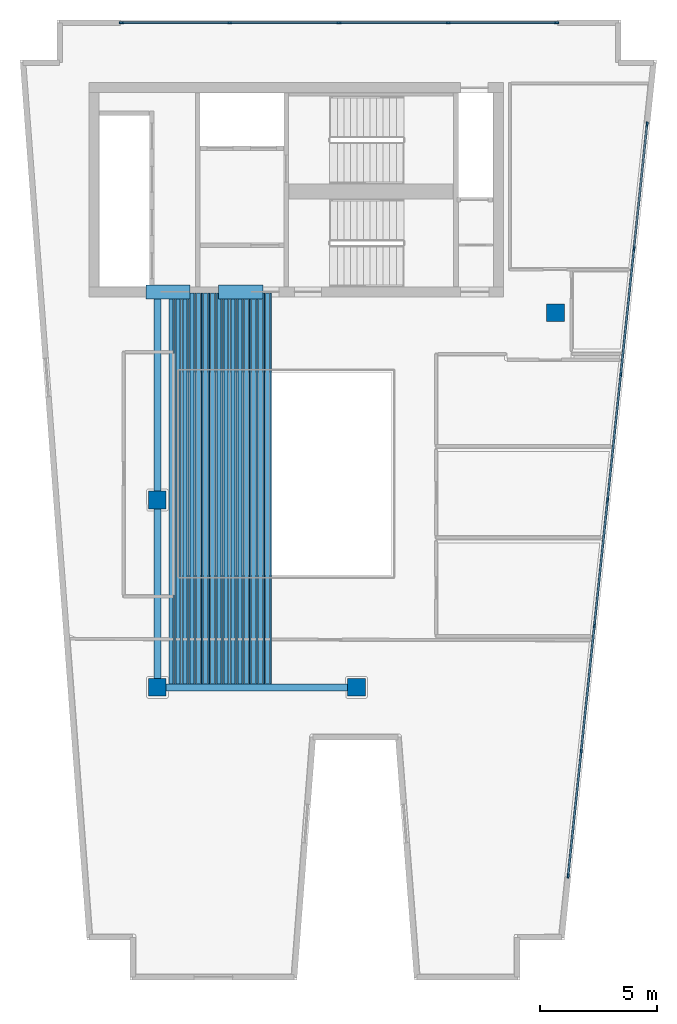
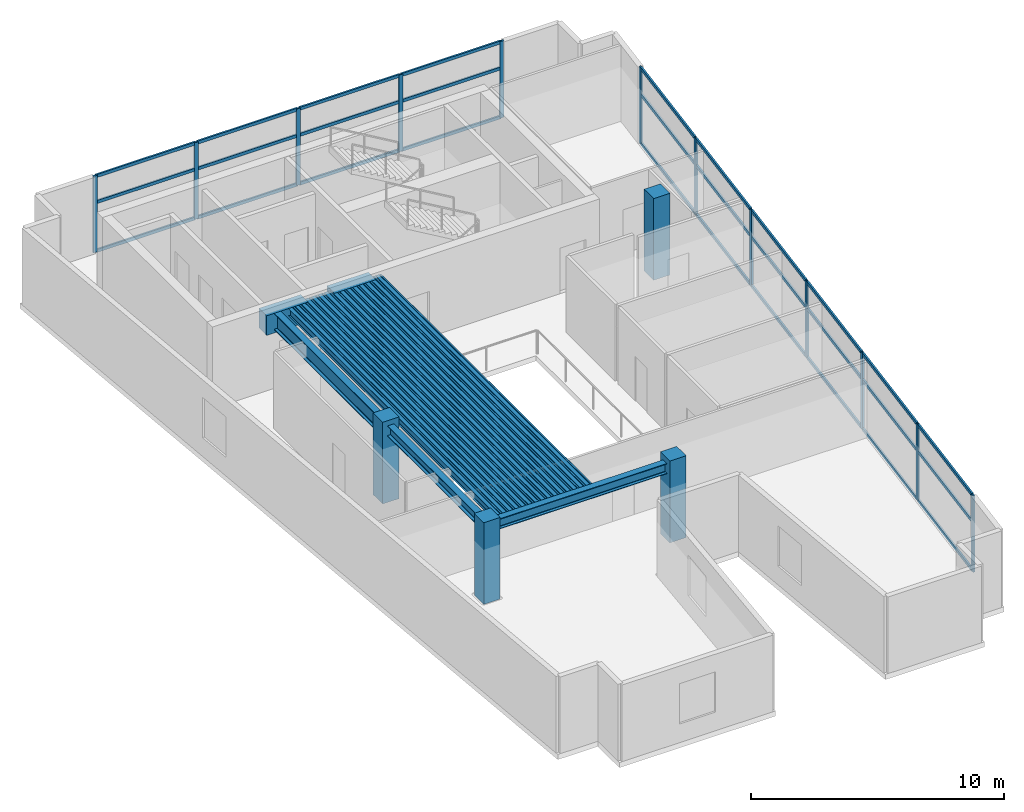
# One storey, part 1 of 6: 42 members, 35 beams, 4 columns, 2 elements without a shape of their own.
"""IFC4 building model written with IfcOpenShell, lengths in metres."""

from ifc_helpers import new_model, si_unit, direction, frame, origin, origin_2d, place, context, subcontext, project, spatial, rectangle, hollow_rectangle, i_section, extrude, material, layer, layer_set, material_profile, profile_set, type_object, element, aggregate, save


model = new_model("IFC4")

# Units and contexts
model_context = context("Model", 3, precision=1e-05, world=origin(), true_north=direction((0.0, 1.0)))
body_context = subcontext(model_context, "Body", "Model", "MODEL_VIEW")
ifc_project = project(units=[si_unit("LENGTHUNIT", "METRE"), si_unit("AREAUNIT", "SQUARE_METRE"), si_unit("VOLUMEUNIT", "CUBIC_METRE"), si_unit("PLANEANGLEUNIT", "RADIAN"), si_unit("MASSUNIT", "GRAM", prefix="KILO")], contexts=[model_context])

# Site, building, storey
site_placement = place(None, origin())
site = spatial("IfcSite", under=ifc_project, at=site_placement, CompositionType="ELEMENT")
building_placement = place(site_placement, origin())
building = spatial("IfcBuilding", under=site, at=building_placement, Name="Caeloran Harvest Quay", CompositionType="ELEMENT")
storey_placement = place(building_placement, frame((0.0, 0.0, 296.199951171875)))
storey = spatial("IfcBuildingStorey", under=building, at=storey_placement, Name="L71", CompositionType="ELEMENT", Elevation=296.199951171875)

# Columns
ifc_material_1 = material(Name="Concrete C60/75", Category="concrete")
ifc_material_profile_1 = material_profile(ifc_material_1, rectangle(XDim=0.75, YDim=0.75, at=origin_2d()), Name="RC 750x750")
ifc_profile_set_1 = profile_set([ifc_material_profile_1], Name="Concrete C60/75")
column_type = type_object("IfcColumnType", Name="COL-MC-5-RC_750x750", PredefinedType="COLUMN", material=ifc_profile_set_1)
for number, where, z_axis, x_axis, name in (
    (1, (8.5, 15.0, 0.0), (0.0, 0.0, 1.0), (1.0, 0.0, 0.0), "L71 Structural Column (8.5, 15.0)"),
    (2, (8.5, 23.0, 0.0), (0.0, 0.0, 1.0), (1.0, 0.0, 0.0), "L71 Structural Column (8.5, 23.0)"),
    (3, (17.0, 15.0, 0.0), (0.0, 0.0, 1.0), (1.0, 0.0, 0.0), "L71 Structural Column (17.0, 15.0)"),
    (4, (25.5, 31.0, 0.0), (0.0, 0.0, 1.0), (1.0, 0.0, 0.0), "L71 Structural Column (25.5, 31.0)"),
):
    element("IfcColumn", number, at=place(storey_placement, frame(where, z_axis=z_axis, x_axis=x_axis)), inside=storey, type_object=column_type, Name=name, PredefinedType="COLUMN", context=body_context, shape_type="SweptSolid", body=[
        extrude(rectangle(XDim=0.75, YDim=0.75, at=origin_2d()), origin(), (0.0, 0.0, 1.0), 3.949951171875),
    ])

# Beams
ifc_material_profile_2 = material_profile(ifc_material_1, rectangle(XDim=0.60009765625, YDim=0.949951171875, at=origin_2d()), Name="RC 600x950")
ifc_profile_set_2 = profile_set([ifc_material_profile_2], Name="Concrete C60/75")
beam_type_1 = type_object("IfcBeamType", Name="BM-CB-2-RC_600x950", PredefinedType="LINTEL", material=ifc_profile_set_2)
for number, where, z_axis, x_axis, name in (
    (5, (8.0, 31.889892578125, 3.22509765625), (1.0, 0.0, 0.0), (0.0, 1.0, 0.0), "L71 Core Coupling Beam 1"),
    (6, (11.10009765625, 31.889892578125, 3.22509765625), (1.0, 0.0, 0.0), (0.0, 1.0, 0.0), "L71 Core Coupling Beam 2"),
):
    element("IfcBeam", number, at=place(storey_placement, frame(where, z_axis=z_axis, x_axis=x_axis)), inside=storey, type_object=beam_type_1, Name=name, PredefinedType="LINTEL", context=body_context, shape_type="SweptSolid", body=[
        extrude(rectangle(XDim=0.60009765625, YDim=0.949951171875, at=origin_2d()), origin(), (0.0, 0.0, 1.0), 1.89990234375),
    ])
ifc_material_2 = material(Name="Steel S355J2", Category="steel")
ifc_material_profile_3 = material_profile(ifc_material_2, i_section(OverallWidth=0.300048828125, OverallDepth=0.800048828125, WebThickness=0.017578125, FlangeThickness=0.032958984375, FilletRadius=0.030029296875, at=origin_2d()), Name="HE 800 B")
ifc_profile_set_3 = profile_set([ifc_material_profile_3], Name="Steel S355J2")
beam_type_2 = type_object("IfcBeamType", Name="BM-PG-1-HE_800_B", PredefinedType="BEAM", material=ifc_profile_set_3)
beam_1_placement = place(storey_placement, frame((8.5, 23.0, 3.300048828125), z_axis=(0.0, 1.0, 0.0), x_axis=(-1.0, 0.0, 0.0)))
element("IfcBeam", 7, at=beam_1_placement, inside=storey, type_object=beam_type_2, Name="L71 Core South Tie Girder X=8.5", PredefinedType="BEAM", context=body_context, shape_type="SweptSolid", body=[
    extrude(i_section(OverallWidth=0.300048828125, OverallDepth=0.800048828125, WebThickness=0.017578125, FlangeThickness=0.032958984375, FilletRadius=0.030029296875, at=origin_2d()), origin(), (0.0, 0.0, 1.0), 8.840087890625),
])
ifc_material_profile_4 = material_profile(ifc_material_2, i_section(OverallWidth=0.300048828125, OverallDepth=0.5, WebThickness=0.014404296875, FlangeThickness=0.028076171875, FilletRadius=0.027099609375, at=origin_2d()), Name="HE 500 B")
ifc_profile_set_4 = profile_set([ifc_material_profile_4], Name="Steel S355J2")
beam_type_3 = type_object("IfcBeamType", Name="BM-PG-4-HE_500_B", PredefinedType="BEAM", material=ifc_profile_set_4)
beam_2_placement = place(storey_placement, frame((8.5, 15.0, 3.449951171875), z_axis=(1.0, 0.0, 0.0), x_axis=(0.0, 1.0, 0.0)))
element("IfcBeam", 8, at=beam_2_placement, inside=storey, type_object=beam_type_3, Name="L71 Primary East-West Girder Y=15.0", PredefinedType="BEAM", context=body_context, shape_type="SweptSolid", body=[
    extrude(i_section(OverallWidth=0.300048828125, OverallDepth=0.5, WebThickness=0.014404296875, FlangeThickness=0.028076171875, FilletRadius=0.027099609375, at=origin_2d()), origin(), (0.0, 0.0, 1.0), 8.5),
])
beam_3_placement = place(storey_placement, frame((8.5, 15.0, 3.449951171875), z_axis=(0.0, 1.0, 0.0), x_axis=(-1.0, 0.0, 0.0)))
element("IfcBeam", 9, at=beam_3_placement, inside=storey, type_object=beam_type_3, Name="L71 Primary North-South Girder X=8.5", PredefinedType="BEAM", context=body_context, shape_type="SweptSolid", body=[
    extrude(i_section(OverallWidth=0.300048828125, OverallDepth=0.5, WebThickness=0.014404296875, FlangeThickness=0.028076171875, FilletRadius=0.027099609375, at=origin_2d()), origin(), (0.0, 0.0, 1.0), 8.0),
])
ifc_material_profile_5 = material_profile(ifc_material_2, i_section(OverallWidth=0.169921875, OverallDepth=0.360107421875, WebThickness=0.008056640625, FlangeThickness=0.0126953125, FilletRadius=0.01806640625, at=origin_2d()), Name="IPE 360")
ifc_profile_set_5 = profile_set([ifc_material_profile_5], Name="Steel S355J2")
beam_type_4 = type_object("IfcBeamType", Name="BM-SB-5-IPE_360", PredefinedType="JOIST", material=ifc_profile_set_5)
for number, where, z_axis, x_axis, name in (
    (10, (9.086181640625, 15.14501953125, 3.52001953125), (0.0, 1.0, 0.0), (-1.0, 0.0, 0.0), "L71 Secondary Composite Joist"),
    (11, (9.37939453125, 15.14501953125, 3.52001953125), (0.0, 1.0, 0.0), (-1.0, 0.0, 0.0), "L71 Secondary Composite Joist"),
    (12, (9.67236328125, 15.14501953125, 3.52001953125), (0.0, 1.0, 0.0), (-1.0, 0.0, 0.0), "L71 Secondary Composite Joist"),
    (13, (9.965576171875, 15.14501953125, 3.52001953125), (0.0, 1.0, 0.0), (-1.0, 0.0, 0.0), "L71 Secondary Composite Joist"),
    (14, (10.258544921875, 15.14501953125, 3.52001953125), (0.0, 1.0, 0.0), (-1.0, 0.0, 0.0), "L71 Secondary Composite Joist"),
    (15, (10.5517578125, 15.14501953125, 3.52001953125), (0.0, 1.0, 0.0), (-1.0, 0.0, 0.0), "L71 Secondary Composite Joist"),
    (16, (10.8447265625, 15.14501953125, 3.52001953125), (0.0, 1.0, 0.0), (-1.0, 0.0, 0.0), "L71 Secondary Composite Joist"),
    (17, (11.137939453125, 15.14501953125, 3.52001953125), (0.0, 1.0, 0.0), (-1.0, 0.0, 0.0), "L71 Secondary Composite Joist"),
    (18, (11.430908203125, 15.14501953125, 3.52001953125), (0.0, 1.0, 0.0), (-1.0, 0.0, 0.0), "L71 Secondary Composite Joist"),
    (19, (11.72412109375, 15.14501953125, 3.52001953125), (0.0, 1.0, 0.0), (-1.0, 0.0, 0.0), "L71 Secondary Composite Joist"),
    (20, (12.01708984375, 15.14501953125, 3.52001953125), (0.0, 1.0, 0.0), (-1.0, 0.0, 0.0), "L71 Secondary Composite Joist"),
    (21, (12.310302734375, 15.14501953125, 3.52001953125), (0.0, 1.0, 0.0), (-1.0, 0.0, 0.0), "L71 Secondary Composite Joist"),
    (22, (12.603515625, 15.14501953125, 3.52001953125), (0.0, 1.0, 0.0), (-1.0, 0.0, 0.0), "L71 Secondary Composite Joist"),
    (23, (12.896484375, 15.14501953125, 3.52001953125), (0.0, 1.0, 0.0), (-1.0, 0.0, 0.0), "L71 Secondary Composite Joist"),
    (24, (13.189697265625, 15.14501953125, 3.52001953125), (0.0, 1.0, 0.0), (-1.0, 0.0, 0.0), "L71 Secondary Composite Joist"),
):
    element("IfcBeam", number, at=place(storey_placement, frame(where, z_axis=z_axis, x_axis=x_axis)), inside=storey, type_object=beam_type_4, Name=name, PredefinedType="JOIST", context=body_context, shape_type="SweptSolid", body=[
        extrude(i_section(OverallWidth=0.169921875, OverallDepth=0.360107421875, WebThickness=0.008056640625, FlangeThickness=0.0126953125, FilletRadius=0.01806640625, at=origin_2d()), origin(), (0.0, 0.0, 1.0), 16.695068359375),
    ])
ifc_material_profile_6 = material_profile(ifc_material_2, hollow_rectangle(XDim=0.080078125, YDim=0.199951171875, WallThickness=0.006103515625, InnerFilletRadius=0.006103515625, OuterFilletRadius=0.009033203125, at=origin_2d()), Name="RHS 200x80x6")
ifc_profile_set_6 = profile_set([ifc_material_profile_6], Name="Steel S355J2")
beam_type_5 = type_object("IfcBeamType", Name="BM-SB-7-RHS_200x80x6", PredefinedType="JOIST", material=ifc_profile_set_6)
for number, where, z_axis, x_axis, name in (
    (25, (9.23291015625, 15.14501953125, 3.60009765625), (0.0, 1.0, 0.0), (-1.0, 0.0, 0.0), "L71 Secondary Composite Joist"),
    (26, (9.52587890625, 15.14501953125, 3.60009765625), (0.0, 1.0, 0.0), (-1.0, 0.0, 0.0), "L71 Secondary Composite Joist"),
    (27, (9.819091796875, 15.14501953125, 3.60009765625), (0.0, 1.0, 0.0), (-1.0, 0.0, 0.0), "L71 Secondary Composite Joist"),
    (28, (10.112060546875, 15.14501953125, 3.60009765625), (0.0, 1.0, 0.0), (-1.0, 0.0, 0.0), "L71 Secondary Composite Joist"),
    (29, (10.4052734375, 15.14501953125, 3.60009765625), (0.0, 1.0, 0.0), (-1.0, 0.0, 0.0), "L71 Secondary Composite Joist"),
    (30, (10.6982421875, 15.14501953125, 3.60009765625), (0.0, 1.0, 0.0), (-1.0, 0.0, 0.0), "L71 Secondary Composite Joist"),
    (31, (10.991455078125, 15.14501953125, 3.60009765625), (0.0, 1.0, 0.0), (-1.0, 0.0, 0.0), "L71 Secondary Composite Joist"),
    (32, (11.284423828125, 15.14501953125, 3.60009765625), (0.0, 1.0, 0.0), (-1.0, 0.0, 0.0), "L71 Secondary Composite Joist"),
    (33, (11.57763671875, 15.14501953125, 3.60009765625), (0.0, 1.0, 0.0), (-1.0, 0.0, 0.0), "L71 Secondary Composite Joist"),
    (34, (11.87060546875, 15.14501953125, 3.60009765625), (0.0, 1.0, 0.0), (-1.0, 0.0, 0.0), "L71 Secondary Composite Joist"),
    (35, (12.163818359375, 15.14501953125, 3.60009765625), (0.0, 1.0, 0.0), (-1.0, 0.0, 0.0), "L71 Secondary Composite Joist"),
    (36, (12.456787109375, 15.14501953125, 3.60009765625), (0.0, 1.0, 0.0), (-1.0, 0.0, 0.0), "L71 Secondary Composite Joist"),
    (37, (12.75, 15.14501953125, 3.60009765625), (0.0, 1.0, 0.0), (-1.0, 0.0, 0.0), "L71 Secondary Composite Joist"),
    (38, (13.043212890625, 15.14501953125, 3.60009765625), (0.0, 1.0, 0.0), (-1.0, 0.0, 0.0), "L71 Secondary Composite Joist"),
    (39, (13.336181640625, 15.14501953125, 3.60009765625), (0.0, 1.0, 0.0), (-1.0, 0.0, 0.0), "L71 Secondary Composite Joist"),
):
    element("IfcBeam", number, at=place(storey_placement, frame(where, z_axis=z_axis, x_axis=x_axis)), inside=storey, type_object=beam_type_5, Name=name, PredefinedType="JOIST", context=body_context, shape_type="SweptSolid", body=[
        extrude(hollow_rectangle(XDim=0.080078125, YDim=0.199951171875, WallThickness=0.006103515625, InnerFilletRadius=0.006103515625, OuterFilletRadius=0.009033203125, at=origin_2d()), origin(), (0.0, 0.0, 1.0), 16.695068359375),
    ])

# Curtain wall, members
ifc_material_3 = material(Name="Aluminium 6063-T6 and Low-E Glazing", Category="aluminium")
ifc_layer = layer(ifc_material_3, 0.219970703125, Name="Aluminium 6063-T6 and Low-E Glazing")
ifc_layer_set = layer_set([ifc_layer], Name="Aluminium 6063-T6 and Low-E Glazing")
curtain_wall_type = type_object("IfcCurtainWallType", Name="CW-SYS-CW-5", PredefinedType="USERDEFINED", material=ifc_layer_set)
curtain_wall_1_placement = place(storey_placement, origin())
curtain_wall_1 = element("IfcCurtainWall", 40, at=curtain_wall_1_placement, inside=storey, type_object=curtain_wall_type, Name="L71 Unitised Curtain Wall CW-5 Run 6", ObjectType="CURTAIN_WALL", PredefinedType="USERDEFINED")
ifc_material_4 = material(Name="Aluminium 6063-T6", Category="aluminium")
ifc_material_profile_7 = material_profile(ifc_material_4, rectangle(XDim=0.080078125, YDim=0.179931640625, at=origin_2d()), Name="CW-MULLION-180")
ifc_profile_set_7 = profile_set([ifc_material_profile_7], Name="Aluminium 6063-T6")
member_type_1 = type_object("IfcMemberType", Name="CW-MULLION-180", PredefinedType="MULLION", material=ifc_profile_set_7)
member_1_placement = place(storey_placement, frame((6.9599609375, 43.3798828125, 0.0), z_axis=(0.0, 0.0, 1.0), x_axis=(0.0, 1.0, 0.0)))
member_1 = element("IfcMember", 41, at=member_1_placement, type_object=member_type_1, Name="CW-5 mullion 1", PredefinedType="MULLION", context=body_context, shape_type="SweptSolid", body=[
    extrude(rectangle(XDim=0.080078125, YDim=0.179931640625, at=origin_2d()), origin(), (0.0, 0.0, 1.0), 3.699951171875),
])
member_2_placement = place(storey_placement, frame((11.5849609375, 43.3798828125, 0.0), z_axis=(0.0, 0.0, 1.0), x_axis=(0.0, 1.0, 0.0)))
member_2 = element("IfcMember", 42, at=member_2_placement, type_object=member_type_1, Name="CW-5 mullion 2", PredefinedType="MULLION", context=body_context, shape_type="SweptSolid", body=[
    extrude(rectangle(XDim=0.080078125, YDim=0.179931640625, at=origin_2d()), origin(), (0.0, 0.0, 1.0), 3.699951171875),
])
member_3_placement = place(storey_placement, frame((16.25, 43.3798828125, 0.0), z_axis=(0.0, 0.0, 1.0), x_axis=(0.0, 1.0, 0.0)))
member_3 = element("IfcMember", 43, at=member_3_placement, type_object=member_type_1, Name="CW-5 mullion 3", PredefinedType="MULLION", context=body_context, shape_type="SweptSolid", body=[
    extrude(rectangle(XDim=0.080078125, YDim=0.179931640625, at=origin_2d()), origin(), (0.0, 0.0, 1.0), 3.699951171875),
])
member_4_placement = place(storey_placement, frame((20.9150390625, 43.3798828125, 0.0), z_axis=(0.0, 0.0, 1.0), x_axis=(0.0, 1.0, 0.0)))
member_4 = element("IfcMember", 44, at=member_4_placement, type_object=member_type_1, Name="CW-5 mullion 4", PredefinedType="MULLION", context=body_context, shape_type="SweptSolid", body=[
    extrude(rectangle(XDim=0.080078125, YDim=0.179931640625, at=origin_2d()), origin(), (0.0, 0.0, 1.0), 3.699951171875),
])
member_5_placement = place(storey_placement, frame((25.5400390625, 43.3798828125, 0.0), z_axis=(0.0, 0.0, 1.0), x_axis=(0.0, 1.0, 0.0)))
member_5 = element("IfcMember", 45, at=member_5_placement, type_object=member_type_1, Name="CW-5 mullion 5", PredefinedType="MULLION", context=body_context, shape_type="SweptSolid", body=[
    extrude(rectangle(XDim=0.080078125, YDim=0.179931640625, at=origin_2d()), origin(), (0.0, 0.0, 1.0), 3.699951171875),
])

curtain_wall_2_placement = place(storey_placement, origin())
curtain_wall_2 = element("IfcCurtainWall", 46, at=curtain_wall_2_placement, inside=storey, type_object=curtain_wall_type, Name="L71 Unitised Curtain Wall CW-5 Run 9", ObjectType="CURTAIN_WALL", PredefinedType="USERDEFINED")
member_6_placement = place(storey_placement, frame((29.412353515625, 39.054443359375, 0.0), z_axis=(0.0, 0.0, 1.0), x_axis=(0.994529078655, -0.104460096251, 0.0)))
member_6 = element("IfcMember", 47, at=member_6_placement, type_object=member_type_1, Name="CW-5 mullion 1", PredefinedType="MULLION", context=body_context, shape_type="SweptSolid", body=[
    extrude(rectangle(XDim=0.080078125, YDim=0.179931640625, at=origin_2d()), origin(), (0.0, 0.0, 1.0), 3.699951171875),
])
member_7_placement = place(storey_placement, frame((28.85302734375, 33.7294921875, 0.0), z_axis=(0.0, 0.0, 1.0), x_axis=(0.994529078655, -0.104460096251, 0.0)))
member_7 = element("IfcMember", 48, at=member_7_placement, type_object=member_type_1, Name="CW-5 mullion 2", PredefinedType="MULLION", context=body_context, shape_type="SweptSolid", body=[
    extrude(rectangle(XDim=0.080078125, YDim=0.179931640625, at=origin_2d()), origin(), (0.0, 0.0, 1.0), 3.699951171875),
])
member_8_placement = place(storey_placement, frame((28.28955078125, 28.36474609375, 0.0), z_axis=(0.0, 0.0, 1.0), x_axis=(0.994529078655, -0.104460096251, 0.0)))
member_8 = element("IfcMember", 49, at=member_8_placement, type_object=member_type_1, Name="CW-5 mullion 3", PredefinedType="MULLION", context=body_context, shape_type="SweptSolid", body=[
    extrude(rectangle(XDim=0.080078125, YDim=0.179931640625, at=origin_2d()), origin(), (0.0, 0.0, 1.0), 3.699951171875),
])
member_9_placement = place(storey_placement, frame((27.72607421875, 23.0, 0.0), z_axis=(0.0, 0.0, 1.0), x_axis=(0.994529078655, -0.104460096251, 0.0)))
member_9 = element("IfcMember", 50, at=member_9_placement, type_object=member_type_1, Name="CW-5 mullion 4", PredefinedType="MULLION", context=body_context, shape_type="SweptSolid", body=[
    extrude(rectangle(XDim=0.080078125, YDim=0.179931640625, at=origin_2d()), origin(), (0.0, 0.0, 1.0), 3.699951171875),
])
member_10_placement = place(storey_placement, frame((27.16259765625, 17.63525390625, 0.0), z_axis=(0.0, 0.0, 1.0), x_axis=(0.994529078655, -0.104460096251, 0.0)))
member_10 = element("IfcMember", 51, at=member_10_placement, type_object=member_type_1, Name="CW-5 mullion 5", PredefinedType="MULLION", context=body_context, shape_type="SweptSolid", body=[
    extrude(rectangle(XDim=0.080078125, YDim=0.179931640625, at=origin_2d()), origin(), (0.0, 0.0, 1.0), 3.699951171875),
])
member_11_placement = place(storey_placement, frame((26.59912109375, 12.2705078125, 0.0), z_axis=(0.0, 0.0, 1.0), x_axis=(0.994529078655, -0.104460096251, 0.0)))
member_11 = element("IfcMember", 52, at=member_11_placement, type_object=member_type_1, Name="CW-5 mullion 6", PredefinedType="MULLION", context=body_context, shape_type="SweptSolid", body=[
    extrude(rectangle(XDim=0.080078125, YDim=0.179931640625, at=origin_2d()), origin(), (0.0, 0.0, 1.0), 3.699951171875),
])
member_12_placement = place(storey_placement, frame((26.039794921875, 6.945556640625, 0.0), z_axis=(0.0, 0.0, 1.0), x_axis=(0.994529078655, -0.104460096251, 0.0)))
member_12 = element("IfcMember", 53, at=member_12_placement, type_object=member_type_1, Name="CW-5 mullion 7", PredefinedType="MULLION", context=body_context, shape_type="SweptSolid", body=[
    extrude(rectangle(XDim=0.080078125, YDim=0.179931640625, at=origin_2d()), origin(), (0.0, 0.0, 1.0), 3.699951171875),
])

# Member
ifc_material_profile_8 = material_profile(ifc_material_4, rectangle(XDim=0.080078125, YDim=0.14990234375, at=origin_2d()), Name="CW-TRANSOM-150")
ifc_profile_set_8 = profile_set([ifc_material_profile_8], Name="Aluminium 6063-T6")
member_type_2 = type_object("IfcMemberType", Name="CW-TRANSOM-150", PredefinedType="USERDEFINED", material=ifc_profile_set_8)
member_13_placement = place(storey_placement, frame((7.0, 43.3798828125, 0.0400390625), z_axis=(1.0, 0.0, 0.0), x_axis=(0.0, 1.0, 0.0)))
member_13 = element("IfcMember", 54, at=member_13_placement, type_object=member_type_2, Name="CW-5 transom 1.1", ObjectType="TRANSOM", PredefinedType="USERDEFINED", context=body_context, shape_type="SweptSolid", body=[
    extrude(rectangle(XDim=0.080078125, YDim=0.14990234375, at=origin_2d()), origin(), (0.0, 0.0, 1.0), 4.544921875),
])

member_14_placement = place(storey_placement, frame((7.0, 43.3798828125, 2.400146484375), z_axis=(1.0, 0.0, 0.0), x_axis=(0.0, 1.0, 0.0)))
member_14 = element("IfcMember", 55, at=member_14_placement, type_object=member_type_2, Name="CW-5 transom 1.2", ObjectType="TRANSOM", PredefinedType="USERDEFINED", context=body_context, shape_type="SweptSolid", body=[
    extrude(rectangle(XDim=0.080078125, YDim=0.14990234375, at=origin_2d()), origin(), (0.0, 0.0, 1.0), 4.544921875),
])

member_15_placement = place(storey_placement, frame((7.0, 43.3798828125, 3.66015625), z_axis=(1.0, 0.0, 0.0), x_axis=(0.0, 1.0, 0.0)))
member_15 = element("IfcMember", 56, at=member_15_placement, type_object=member_type_2, Name="CW-5 transom 1.3", ObjectType="TRANSOM", PredefinedType="USERDEFINED", context=body_context, shape_type="SweptSolid", body=[
    extrude(rectangle(XDim=0.080078125, YDim=0.14990234375, at=origin_2d()), origin(), (0.0, 0.0, 1.0), 4.544921875),
])

member_16_placement = place(storey_placement, frame((11.625, 43.3798828125, 0.0400390625), z_axis=(1.0, 0.0, 0.0), x_axis=(0.0, 1.0, 0.0)))
member_16 = element("IfcMember", 57, at=member_16_placement, type_object=member_type_2, Name="CW-5 transom 2.1", ObjectType="TRANSOM", PredefinedType="USERDEFINED", context=body_context, shape_type="SweptSolid", body=[
    extrude(rectangle(XDim=0.080078125, YDim=0.14990234375, at=origin_2d()), origin(), (0.0, 0.0, 1.0), 4.5849609375),
])

member_17_placement = place(storey_placement, frame((11.625, 43.3798828125, 2.400146484375), z_axis=(1.0, 0.0, 0.0), x_axis=(0.0, 1.0, 0.0)))
member_17 = element("IfcMember", 58, at=member_17_placement, type_object=member_type_2, Name="CW-5 transom 2.2", ObjectType="TRANSOM", PredefinedType="USERDEFINED", context=body_context, shape_type="SweptSolid", body=[
    extrude(rectangle(XDim=0.080078125, YDim=0.14990234375, at=origin_2d()), origin(), (0.0, 0.0, 1.0), 4.5849609375),
])

member_18_placement = place(storey_placement, frame((11.625, 43.3798828125, 3.66015625), z_axis=(1.0, 0.0, 0.0), x_axis=(0.0, 1.0, 0.0)))
member_18 = element("IfcMember", 59, at=member_18_placement, type_object=member_type_2, Name="CW-5 transom 2.3", ObjectType="TRANSOM", PredefinedType="USERDEFINED", context=body_context, shape_type="SweptSolid", body=[
    extrude(rectangle(XDim=0.080078125, YDim=0.14990234375, at=origin_2d()), origin(), (0.0, 0.0, 1.0), 4.5849609375),
])

member_19_placement = place(storey_placement, frame((16.2900390625, 43.3798828125, 0.0400390625), z_axis=(1.0, 0.0, 0.0), x_axis=(0.0, 1.0, 0.0)))
member_19 = element("IfcMember", 60, at=member_19_placement, type_object=member_type_2, Name="CW-5 transom 3.1", ObjectType="TRANSOM", PredefinedType="USERDEFINED", context=body_context, shape_type="SweptSolid", body=[
    extrude(rectangle(XDim=0.080078125, YDim=0.14990234375, at=origin_2d()), origin(), (0.0, 0.0, 1.0), 4.5849609375),
])

member_20_placement = place(storey_placement, frame((16.2900390625, 43.3798828125, 2.400146484375), z_axis=(1.0, 0.0, 0.0), x_axis=(0.0, 1.0, 0.0)))
member_20 = element("IfcMember", 61, at=member_20_placement, type_object=member_type_2, Name="CW-5 transom 3.2", ObjectType="TRANSOM", PredefinedType="USERDEFINED", context=body_context, shape_type="SweptSolid", body=[
    extrude(rectangle(XDim=0.080078125, YDim=0.14990234375, at=origin_2d()), origin(), (0.0, 0.0, 1.0), 4.5849609375),
])

member_21_placement = place(storey_placement, frame((16.2900390625, 43.3798828125, 3.66015625), z_axis=(1.0, 0.0, 0.0), x_axis=(0.0, 1.0, 0.0)))
member_21 = element("IfcMember", 62, at=member_21_placement, type_object=member_type_2, Name="CW-5 transom 3.3", ObjectType="TRANSOM", PredefinedType="USERDEFINED", context=body_context, shape_type="SweptSolid", body=[
    extrude(rectangle(XDim=0.080078125, YDim=0.14990234375, at=origin_2d()), origin(), (0.0, 0.0, 1.0), 4.5849609375),
])

member_22_placement = place(storey_placement, frame((20.955078125, 43.3798828125, 0.0400390625), z_axis=(1.0, 0.0, 0.0), x_axis=(0.0, 1.0, 0.0)))
member_22 = element("IfcMember", 63, at=member_22_placement, type_object=member_type_2, Name="CW-5 transom 4.1", ObjectType="TRANSOM", PredefinedType="USERDEFINED", context=body_context, shape_type="SweptSolid", body=[
    extrude(rectangle(XDim=0.080078125, YDim=0.14990234375, at=origin_2d()), origin(), (0.0, 0.0, 1.0), 4.544921875),
])

member_23_placement = place(storey_placement, frame((20.955078125, 43.3798828125, 2.400146484375), z_axis=(1.0, 0.0, 0.0), x_axis=(0.0, 1.0, 0.0)))
member_23 = element("IfcMember", 64, at=member_23_placement, type_object=member_type_2, Name="CW-5 transom 4.2", ObjectType="TRANSOM", PredefinedType="USERDEFINED", context=body_context, shape_type="SweptSolid", body=[
    extrude(rectangle(XDim=0.080078125, YDim=0.14990234375, at=origin_2d()), origin(), (0.0, 0.0, 1.0), 4.544921875),
])

member_24_placement = place(storey_placement, frame((20.955078125, 43.3798828125, 3.66015625), z_axis=(1.0, 0.0, 0.0), x_axis=(0.0, 1.0, 0.0)))
member_24 = element("IfcMember", 65, at=member_24_placement, type_object=member_type_2, Name="CW-5 transom 4.3", ObjectType="TRANSOM", PredefinedType="USERDEFINED", context=body_context, shape_type="SweptSolid", body=[
    extrude(rectangle(XDim=0.080078125, YDim=0.14990234375, at=origin_2d()), origin(), (0.0, 0.0, 1.0), 4.544921875),
])

aggregate(curtain_wall_1, [member_1, member_2, member_3, member_4, member_5, member_13, member_14, member_15, member_16, member_17, member_18, member_19, member_20, member_21, member_22, member_23, member_24])

member_25_placement = place(storey_placement, frame((29.408203125, 39.0146484375, 0.0400390625), z_axis=(-0.104475148335, -0.994527497549, 0.0), x_axis=(0.994527497549, -0.104475148335, 0.0)))
member_25 = element("IfcMember", 66, at=member_25_placement, type_object=member_type_2, Name="CW-5 transom 1.1", ObjectType="TRANSOM", PredefinedType="USERDEFINED", context=body_context, shape_type="SweptSolid", body=[
    extrude(rectangle(XDim=0.080078125, YDim=0.14990234375, at=origin_2d()), origin(), (0.0, 0.0, 1.0), 5.274169921875),
])

member_26_placement = place(storey_placement, frame((29.408203125, 39.0146484375, 2.400146484375), z_axis=(-0.104475148335, -0.994527497549, 0.0), x_axis=(0.994527497549, -0.104475148335, 0.0)))
member_26 = element("IfcMember", 67, at=member_26_placement, type_object=member_type_2, Name="CW-5 transom 1.2", ObjectType="TRANSOM", PredefinedType="USERDEFINED", context=body_context, shape_type="SweptSolid", body=[
    extrude(rectangle(XDim=0.080078125, YDim=0.14990234375, at=origin_2d()), origin(), (0.0, 0.0, 1.0), 5.274169921875),
])

member_27_placement = place(storey_placement, frame((29.408203125, 39.0146484375, 3.66015625), z_axis=(-0.104475148335, -0.994527497549, 0.0), x_axis=(0.994527497549, -0.104475148335, 0.0)))
member_27 = element("IfcMember", 68, at=member_27_placement, type_object=member_type_2, Name="CW-5 transom 1.3", ObjectType="TRANSOM", PredefinedType="USERDEFINED", context=body_context, shape_type="SweptSolid", body=[
    extrude(rectangle(XDim=0.080078125, YDim=0.14990234375, at=origin_2d()), origin(), (0.0, 0.0, 1.0), 5.274169921875),
])

member_28_placement = place(storey_placement, frame((28.848876953125, 33.689697265625, 0.0400390625), z_axis=(-0.104469552209, -0.994528085406, 0.0), x_axis=(0.994528085406, -0.104469552209, 0.0)))
member_28 = element("IfcMember", 69, at=member_28_placement, type_object=member_type_2, Name="CW-5 transom 2.1", ObjectType="TRANSOM", PredefinedType="USERDEFINED", context=body_context, shape_type="SweptSolid", body=[
    extrude(rectangle(XDim=0.080078125, YDim=0.14990234375, at=origin_2d()), origin(), (0.0, 0.0, 1.0), 5.314208984375),
])

member_29_placement = place(storey_placement, frame((28.848876953125, 33.689697265625, 2.400146484375), z_axis=(-0.104469552209, -0.994528085406, 0.0), x_axis=(0.994528085406, -0.104469552209, 0.0)))
member_29 = element("IfcMember", 70, at=member_29_placement, type_object=member_type_2, Name="CW-5 transom 2.2", ObjectType="TRANSOM", PredefinedType="USERDEFINED", context=body_context, shape_type="SweptSolid", body=[
    extrude(rectangle(XDim=0.080078125, YDim=0.14990234375, at=origin_2d()), origin(), (0.0, 0.0, 1.0), 5.314208984375),
])

member_30_placement = place(storey_placement, frame((28.848876953125, 33.689697265625, 3.66015625), z_axis=(-0.104469552209, -0.994528085406, 0.0), x_axis=(0.994528085406, -0.104469552209, 0.0)))
member_30 = element("IfcMember", 71, at=member_30_placement, type_object=member_type_2, Name="CW-5 transom 2.3", ObjectType="TRANSOM", PredefinedType="USERDEFINED", context=body_context, shape_type="SweptSolid", body=[
    extrude(rectangle(XDim=0.080078125, YDim=0.14990234375, at=origin_2d()), origin(), (0.0, 0.0, 1.0), 5.314208984375),
])

member_31_placement = place(storey_placement, frame((28.285400390625, 28.324951171875, 0.0400390625), z_axis=(-0.104469552209, -0.994528085406, 0.0), x_axis=(0.994528085406, -0.104469552209, 0.0)))
member_31 = element("IfcMember", 72, at=member_31_placement, type_object=member_type_2, Name="CW-5 transom 3.1", ObjectType="TRANSOM", PredefinedType="USERDEFINED", context=body_context, shape_type="SweptSolid", body=[
    extrude(rectangle(XDim=0.080078125, YDim=0.14990234375, at=origin_2d()), origin(), (0.0, 0.0, 1.0), 5.314208984375),
])

member_32_placement = place(storey_placement, frame((28.285400390625, 28.324951171875, 2.400146484375), z_axis=(-0.104469552209, -0.994528085406, 0.0), x_axis=(0.994528085406, -0.104469552209, 0.0)))
member_32 = element("IfcMember", 73, at=member_32_placement, type_object=member_type_2, Name="CW-5 transom 3.2", ObjectType="TRANSOM", PredefinedType="USERDEFINED", context=body_context, shape_type="SweptSolid", body=[
    extrude(rectangle(XDim=0.080078125, YDim=0.14990234375, at=origin_2d()), origin(), (0.0, 0.0, 1.0), 5.314208984375),
])

member_33_placement = place(storey_placement, frame((28.285400390625, 28.324951171875, 3.66015625), z_axis=(-0.104469552209, -0.994528085406, 0.0), x_axis=(0.994528085406, -0.104469552209, 0.0)))
member_33 = element("IfcMember", 74, at=member_33_placement, type_object=member_type_2, Name="CW-5 transom 3.3", ObjectType="TRANSOM", PredefinedType="USERDEFINED", context=body_context, shape_type="SweptSolid", body=[
    extrude(rectangle(XDim=0.080078125, YDim=0.14990234375, at=origin_2d()), origin(), (0.0, 0.0, 1.0), 5.314208984375),
])

member_34_placement = place(storey_placement, frame((27.721923828125, 22.960205078125, 0.0400390625), z_axis=(-0.104469552209, -0.994528085406, 0.0), x_axis=(0.994528085406, -0.104469552209, 0.0)))
member_34 = element("IfcMember", 75, at=member_34_placement, type_object=member_type_2, Name="CW-5 transom 4.1", ObjectType="TRANSOM", PredefinedType="USERDEFINED", context=body_context, shape_type="SweptSolid", body=[
    extrude(rectangle(XDim=0.080078125, YDim=0.14990234375, at=origin_2d()), origin(), (0.0, 0.0, 1.0), 5.314208984375),
])

member_35_placement = place(storey_placement, frame((27.721923828125, 22.960205078125, 2.400146484375), z_axis=(-0.104469552209, -0.994528085406, 0.0), x_axis=(0.994528085406, -0.104469552209, 0.0)))
member_35 = element("IfcMember", 76, at=member_35_placement, type_object=member_type_2, Name="CW-5 transom 4.2", ObjectType="TRANSOM", PredefinedType="USERDEFINED", context=body_context, shape_type="SweptSolid", body=[
    extrude(rectangle(XDim=0.080078125, YDim=0.14990234375, at=origin_2d()), origin(), (0.0, 0.0, 1.0), 5.314208984375),
])

member_36_placement = place(storey_placement, frame((27.721923828125, 22.960205078125, 3.66015625), z_axis=(-0.104469552209, -0.994528085406, 0.0), x_axis=(0.994528085406, -0.104469552209, 0.0)))
member_36 = element("IfcMember", 77, at=member_36_placement, type_object=member_type_2, Name="CW-5 transom 4.3", ObjectType="TRANSOM", PredefinedType="USERDEFINED", context=body_context, shape_type="SweptSolid", body=[
    extrude(rectangle(XDim=0.080078125, YDim=0.14990234375, at=origin_2d()), origin(), (0.0, 0.0, 1.0), 5.314208984375),
])

member_37_placement = place(storey_placement, frame((27.158447265625, 17.595458984375, 0.0400390625), z_axis=(-0.104469552209, -0.994528085406, 0.0), x_axis=(0.994528085406, -0.104469552209, 0.0)))
member_37 = element("IfcMember", 78, at=member_37_placement, type_object=member_type_2, Name="CW-5 transom 5.1", ObjectType="TRANSOM", PredefinedType="USERDEFINED", context=body_context, shape_type="SweptSolid", body=[
    extrude(rectangle(XDim=0.080078125, YDim=0.14990234375, at=origin_2d()), origin(), (0.0, 0.0, 1.0), 5.314208984375),
])

member_38_placement = place(storey_placement, frame((27.158447265625, 17.595458984375, 2.400146484375), z_axis=(-0.104469552209, -0.994528085406, 0.0), x_axis=(0.994528085406, -0.104469552209, 0.0)))
member_38 = element("IfcMember", 79, at=member_38_placement, type_object=member_type_2, Name="CW-5 transom 5.2", ObjectType="TRANSOM", PredefinedType="USERDEFINED", context=body_context, shape_type="SweptSolid", body=[
    extrude(rectangle(XDim=0.080078125, YDim=0.14990234375, at=origin_2d()), origin(), (0.0, 0.0, 1.0), 5.314208984375),
])

member_39_placement = place(storey_placement, frame((27.158447265625, 17.595458984375, 3.66015625), z_axis=(-0.104469552209, -0.994528085406, 0.0), x_axis=(0.994528085406, -0.104469552209, 0.0)))
member_39 = element("IfcMember", 80, at=member_39_placement, type_object=member_type_2, Name="CW-5 transom 5.3", ObjectType="TRANSOM", PredefinedType="USERDEFINED", context=body_context, shape_type="SweptSolid", body=[
    extrude(rectangle(XDim=0.080078125, YDim=0.14990234375, at=origin_2d()), origin(), (0.0, 0.0, 1.0), 5.314208984375),
])

member_40_placement = place(storey_placement, frame((26.594970703125, 12.230712890625, 0.0400390625), z_axis=(-0.104475148335, -0.994527497549, 0.0), x_axis=(0.994527497549, -0.104475148335, 0.0)))
member_40 = element("IfcMember", 81, at=member_40_placement, type_object=member_type_2, Name="CW-5 transom 6.1", ObjectType="TRANSOM", PredefinedType="USERDEFINED", context=body_context, shape_type="SweptSolid", body=[
    extrude(rectangle(XDim=0.080078125, YDim=0.14990234375, at=origin_2d()), origin(), (0.0, 0.0, 1.0), 5.274169921875),
])

member_41_placement = place(storey_placement, frame((26.594970703125, 12.230712890625, 2.400146484375), z_axis=(-0.104475148335, -0.994527497549, 0.0), x_axis=(0.994527497549, -0.104475148335, 0.0)))
member_41 = element("IfcMember", 82, at=member_41_placement, type_object=member_type_2, Name="CW-5 transom 6.2", ObjectType="TRANSOM", PredefinedType="USERDEFINED", context=body_context, shape_type="SweptSolid", body=[
    extrude(rectangle(XDim=0.080078125, YDim=0.14990234375, at=origin_2d()), origin(), (0.0, 0.0, 1.0), 5.274169921875),
])

member_42_placement = place(storey_placement, frame((26.594970703125, 12.230712890625, 3.66015625), z_axis=(-0.104475148335, -0.994527497549, 0.0), x_axis=(0.994527497549, -0.104475148335, 0.0)))
member_42 = element("IfcMember", 83, at=member_42_placement, type_object=member_type_2, Name="CW-5 transom 6.3", ObjectType="TRANSOM", PredefinedType="USERDEFINED", context=body_context, shape_type="SweptSolid", body=[
    extrude(rectangle(XDim=0.080078125, YDim=0.14990234375, at=origin_2d()), origin(), (0.0, 0.0, 1.0), 5.274169921875),
])

aggregate(curtain_wall_2, [member_6, member_7, member_8, member_9, member_10, member_11, member_12, member_25, member_26, member_27, member_28, member_29, member_30, member_31, member_32, member_33, member_34, member_35, member_36, member_37, member_38, member_39, member_40, member_41, member_42])

save(model, "model.ifc")
